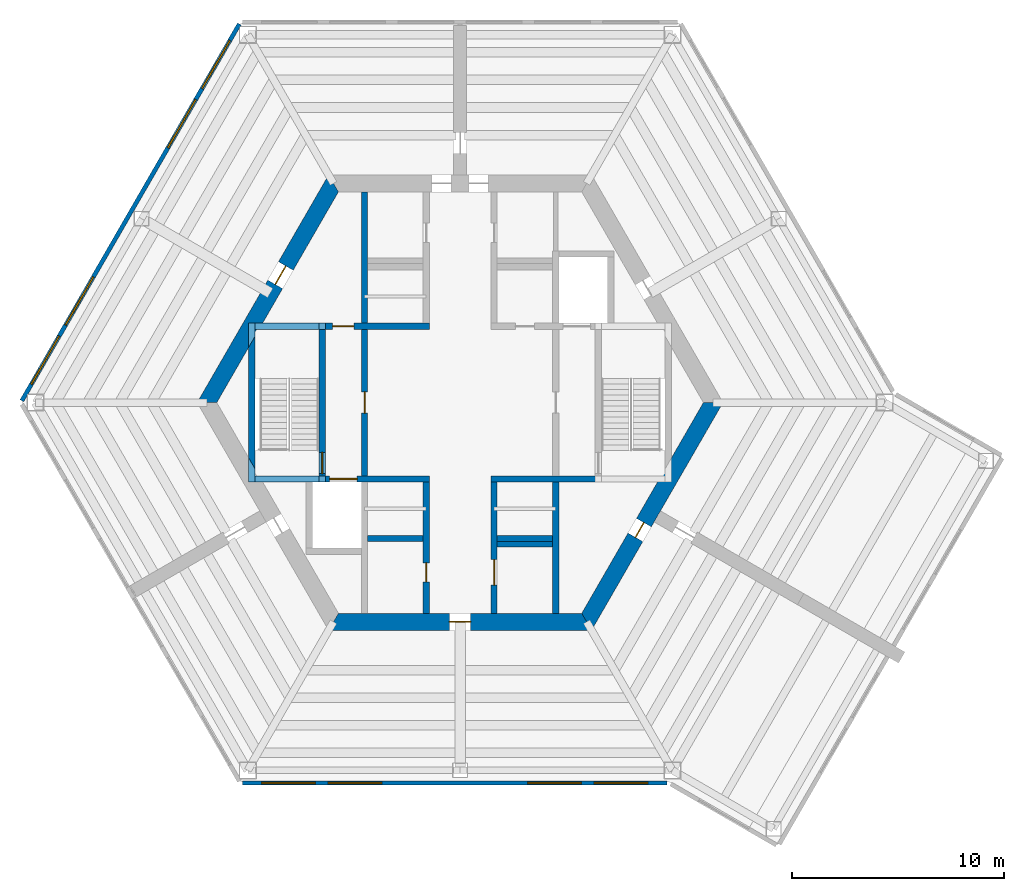
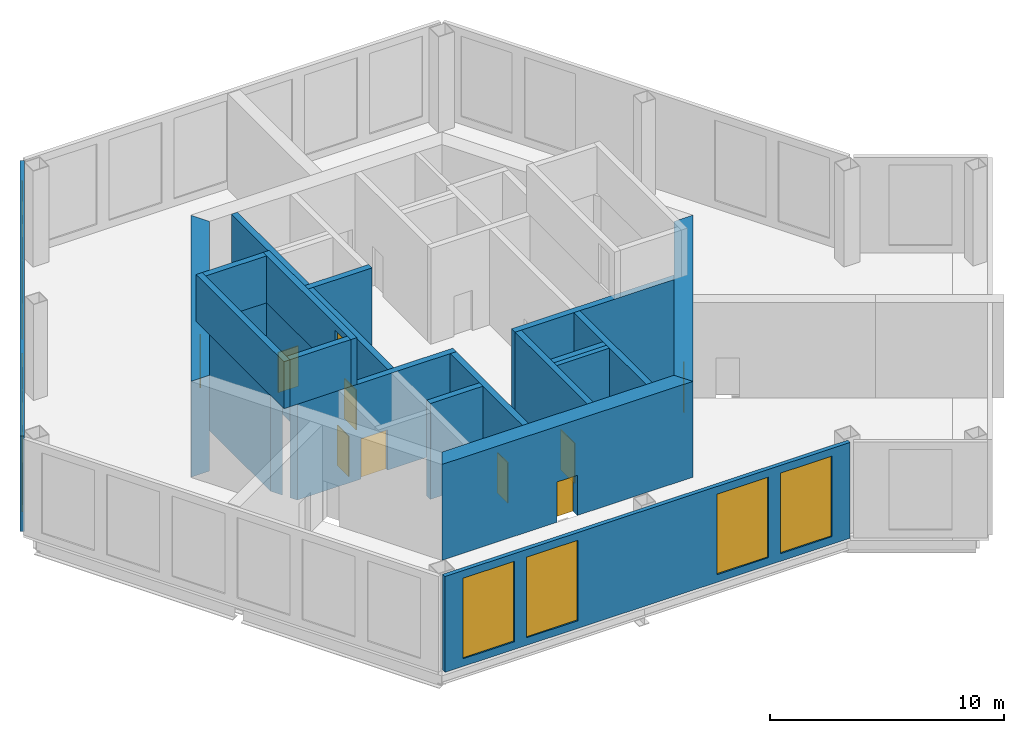
# One storey, part 4 of 8: 22 walls, 10 doors, 8 windows, 18 openings.
"""IFC4 building model written with IfcOpenShell, lengths in metres."""

from ifc_helpers import new_model, si_unit, direction, frame, frame_2d, origin, place, context, subcontext, project, spatial, polyline, rectangle, outline, extrude, material, layer, layer_set, type_object, element, fill, save


model = new_model("IFC4")

# Units and contexts
model_context = context("Model", 3, precision=1e-05, world=origin(), true_north=direction((0.0, 1.0)))
body_context = subcontext(model_context, "Body", "Model", "MODEL_VIEW")
ifc_project = project(units=[si_unit("LENGTHUNIT", "METRE"), si_unit("AREAUNIT", "SQUARE_METRE"), si_unit("VOLUMEUNIT", "CUBIC_METRE"), si_unit("PLANEANGLEUNIT", "RADIAN"), si_unit("MASSUNIT", "GRAM", prefix="KILO")], contexts=[model_context])

# Site, building, storey
site_placement = place(None, origin())
site = spatial("IfcSite", under=ifc_project, at=site_placement, CompositionType="ELEMENT")
building_placement = place(site_placement, origin())
building = spatial("IfcBuilding", under=site, at=building_placement, Name="Kasaneha Research Tower", CompositionType="ELEMENT")
storey_placement = place(building_placement, frame((0.0, 0.0, 302.5)))
storey = spatial("IfcBuildingStorey", under=building, at=storey_placement, Name="L76", CompositionType="ELEMENT", Elevation=302.5)

# Wall, opening, door
ifc_material_1 = material(Name="Concrete Fc60", Category="concrete")
ifc_layer_1 = layer(ifc_material_1, 0.300048828125)
ifc_layer_set_1 = layer_set([ifc_layer_1], Name="Core internal wall 300 Fc60")
wall_type_1 = type_object("IfcWallType", Name="Core internal wall 300 Fc60", PredefinedType="SHEAR", material=ifc_layer_set_1)
wall_1_placement = place(storey_placement, frame((-9.3818359375, 3.60009765625, 0.0), z_axis=(0.0, 0.0, 1.0), x_axis=(1.0, 0.0, 0.0)))
wall_1 = element("IfcWall", 1, at=wall_1_placement, inside=storey, type_object=wall_type_1, Name="Core wall W1W L76", PredefinedType="SHEAR", context=body_context, shape_type="SweptSolid", body=[
    extrude(outline(polyline([(-0.086669921875, -0.14990234375), (3.3818359375, -0.14990234375), (4.3818359375, -0.14990234375), (7.931884765625, -0.14990234375), (7.931884765625, 0.14990234375), (4.3818359375, 0.14990234375), (3.3818359375, 0.14990234375), (0.086669921875, 0.14990234375), (-0.086669921875, -0.14990234375)])), origin(), (0.0, 0.0, 1.0), 5.0),
])
opening_1_placement = place(wall_1_placement, frame((3.3818359375, 0.0, 0.0)))
opening_1 = element("IfcOpeningElement", 2, at=opening_1_placement, cuts=wall_1, Name="Opening L76-D12", PredefinedType="OPENING", context=body_context, shape_type="SweptSolid", body=[
    extrude(rectangle(XDim=1.0, YDim=2.10009765625, at=frame_2d((0.5, 1.050048828125))), frame((0.0, 0.16015625, 0.0), z_axis=(0.0, -1.0, 0.0), x_axis=(1.0, 0.0, 0.0)), (0.0, 0.0, 1.0), 0.320068359375),
])
ifc_material_2 = material(Name="Steel", Category="steel")
door_type_1 = type_object("IfcDoorType", Name="Specified fire door FD60 1000x2100", OperationType="NOTDEFINED", PredefinedType="DOOR", material=ifc_material_2)
door_1_placement = place(opening_1_placement, origin())
door_1 = element("IfcDoor", 3, at=door_1_placement, inside=storey, type_object=door_type_1, Name="Vestibule to lobby door L76-D12", OperationType="SINGLE_SWING_LEFT", OverallHeight=2.10009765625, OverallWidth=1.0, PredefinedType="DOOR", context=body_context, shape_type="SweptSolid", body=[
    extrude(rectangle(XDim=1.0, YDim=2.10009765625, at=frame_2d((0.5, 1.050048828125))), frame((0.0, 0.02490234375, 0.0), z_axis=(0.0, -1.0, 0.0), x_axis=(1.0, 0.0, 0.0)), (0.0, 0.0, 1.0), 0.050048828125),
])
fill(opening_1, door_1)

wall_2_placement = place(storey_placement, frame((-9.3818359375, -3.60009765625, 0.0), z_axis=(0.0, 0.0, 1.0), x_axis=(1.0, 0.0, 0.0)))
wall_2 = element("IfcWall", 4, at=wall_2_placement, inside=storey, type_object=wall_type_1, Name="Core wall W2W L76", PredefinedType="SHEAR", context=body_context, shape_type="SweptSolid", body=[
    extrude(outline(polyline([(0.086669921875, -0.14990234375), (3.23193359375, -0.14990234375), (4.531982421875, -0.14990234375), (7.931884765625, -0.14990234375), (7.931884765625, 0.14990234375), (4.531982421875, 0.14990234375), (3.23193359375, 0.14990234375), (-0.086669921875, 0.14990234375), (0.086669921875, -0.14990234375)])), origin(), (0.0, 0.0, 1.0), 5.0),
])
opening_2_placement = place(wall_2_placement, frame((3.23193359375, 0.0, 0.0)))
opening_2 = element("IfcOpeningElement", 5, at=opening_2_placement, cuts=wall_2, Name="Opening LD-FL2-L76", PredefinedType="OPENING", context=body_context, shape_type="SweptSolid", body=[
    extrude(rectangle(XDim=1.300048828125, YDim=2.10009765625, at=frame_2d((0.64990234375, 1.050048828125))), frame((0.0, 0.16015625, 0.0), z_axis=(0.0, -1.0, 0.0), x_axis=(1.0, 0.0, 0.0)), (0.0, 0.0, 1.0), 0.320068359375),
])
ifc_material_3 = material(Name="Steel", Category="steel")
door_type_2 = type_object("IfcDoorType", Name="Lift landing door 1300x2100", OperationType="DOUBLE_DOOR_SLIDING", PredefinedType="DOOR", material=ifc_material_3)
door_2_placement = place(opening_2_placement, origin())
door_2 = element("IfcDoor", 6, at=door_2_placement, inside=storey, type_object=door_type_2, Name="Landing door FL2 LD-FL2-L76", OperationType="DOUBLE_DOOR_SLIDING", OverallHeight=2.10009765625, OverallWidth=1.300048828125, PredefinedType="DOOR", context=body_context, shape_type="SweptSolid", body=[
    extrude(rectangle(XDim=1.300048828125, YDim=2.10009765625, at=frame_2d((0.64990234375, 1.050048828125))), frame((0.0, 0.02490234375, 0.0), z_axis=(0.0, -1.0, 0.0), x_axis=(1.0, 0.0, 0.0)), (0.0, 0.0, 1.0), 0.050048828125),
])
fill(opening_2, door_2)

# Wall
wall_3_placement = place(storey_placement, frame((1.449951171875, -3.60009765625, 0.0), z_axis=(0.0, 0.0, 1.0), x_axis=(1.0, 0.0, 0.0)))
element("IfcWall", 7, at=wall_3_placement, inside=storey, type_object=wall_type_1, Name="Core wall W2E L76", PredefinedType="SHEAR", context=body_context, shape_type="SweptSolid", body=[
    extrude(outline(polyline([(0.0, -0.14990234375), (7.84521484375, -0.14990234375), (8.0185546875, 0.14990234375), (0.0, 0.14990234375), (0.0, -0.14990234375)])), origin(), (0.0, 0.0, 1.0), 5.0),
])

# Wall, opening, door
wall_4_placement = place(storey_placement, frame((-1.60009765625, -3.75, 0.0), z_axis=(0.0, 0.0, 1.0), x_axis=(0.0, -1.0, 0.0)))
wall_4 = element("IfcWall", 8, at=wall_4_placement, inside=storey, type_object=wall_type_1, Name="Core wall CSW L76", PredefinedType="SHEAR", context=body_context, shape_type="SweptSolid", body=[
    extrude(rectangle(XDim=6.175048828125, YDim=0.300048828125, at=frame_2d((3.08740234375, 0.0))), origin(), (0.0, 0.0, 1.0), 5.0),
])
opening_3_placement = place(wall_4_placement, frame((3.800048828125, 0.0, 0.0)))
opening_3 = element("IfcOpeningElement", 9, at=opening_3_placement, cuts=wall_4, Name="Opening L76-D16", PredefinedType="OPENING", context=body_context, shape_type="SweptSolid", body=[
    extrude(rectangle(XDim=0.89990234375, YDim=2.10009765625, at=frame_2d((0.449951171875, 1.050048828125))), frame((0.0, 0.16015625, 0.0), z_axis=(0.0, -1.0, 0.0), x_axis=(1.0, 0.0, 0.0)), (0.0, 0.0, 1.0), 0.320068359375),
])
ifc_material_4 = material(Name="Steel", Category="steel")
door_type_3 = type_object("IfcDoorType", Name="Riser access door FD60 900x2100", OperationType="NOTDEFINED", PredefinedType="DOOR", material=ifc_material_4)
door_3_placement = place(opening_3_placement, origin())
door_3 = element("IfcDoor", 10, at=door_3_placement, inside=storey, type_object=door_type_3, Name="Electrical riser door L76-D16", OperationType="SINGLE_SWING_LEFT", OverallHeight=2.10009765625, OverallWidth=0.89990234375, PredefinedType="DOOR", context=body_context, shape_type="SweptSolid", body=[
    extrude(rectangle(XDim=0.89990234375, YDim=2.10009765625, at=frame_2d((0.449951171875, 1.050048828125))), frame((0.0, 0.02490234375, 0.0), z_axis=(0.0, -1.0, 0.0), x_axis=(1.0, 0.0, 0.0)), (0.0, 0.0, 1.0), 0.050048828125),
])
fill(opening_3, door_3)

wall_5_placement = place(storey_placement, frame((1.60009765625, -3.75, 0.0), z_axis=(0.0, 0.0, 1.0), x_axis=(0.0, -1.0, 0.0)))
wall_5 = element("IfcWall", 11, at=wall_5_placement, inside=storey, type_object=wall_type_1, Name="Core wall CSE L76", PredefinedType="SHEAR", context=body_context, shape_type="SweptSolid", body=[
    extrude(rectangle(XDim=6.175048828125, YDim=0.300048828125, at=frame_2d((3.08740234375, 0.0))), origin(), (0.0, 0.0, 1.0), 5.0),
])
opening_4_placement = place(wall_5_placement, frame((3.64990234375, 0.0, 0.0)))
opening_4 = element("IfcOpeningElement", 12, at=opening_4_placement, cuts=wall_5, Name="Opening L76-D15", PredefinedType="OPENING", context=body_context, shape_type="SweptSolid", body=[
    extrude(rectangle(XDim=1.199951171875, YDim=2.10009765625, at=frame_2d((0.60009765625, 1.050048828125))), frame((0.0, 0.16015625, 0.0), z_axis=(0.0, -1.0, 0.0), x_axis=(1.0, 0.0, 0.0)), (0.0, 0.0, 1.0), 0.320068359375),
])
ifc_material_5 = material(Name="Steel", Category="steel")
door_type_4 = type_object("IfcDoorType", Name="Accessible toilet sliding door FD20 1200x2100", OperationType="SLIDING_TO_LEFT", PredefinedType="DOOR", material=ifc_material_5)
door_4_placement = place(opening_4_placement, origin())
door_4 = element("IfcDoor", 13, at=door_4_placement, inside=storey, type_object=door_type_4, Name="Accessible WC door L76-D15", OperationType="SLIDING_TO_LEFT", OverallHeight=2.10009765625, OverallWidth=1.199951171875, PredefinedType="DOOR", context=body_context, shape_type="SweptSolid", body=[
    extrude(rectangle(XDim=1.199951171875, YDim=2.10009765625, at=frame_2d((0.60009765625, 1.050048828125))), frame((0.0, 0.02490234375, 0.0), z_axis=(0.0, -1.0, 0.0), x_axis=(1.0, 0.0, 0.0)), (0.0, 0.0, 1.0), 0.050048828125),
])
fill(opening_4, door_4)

wall_6_placement = place(storey_placement, frame((-4.5, -3.449951171875, 0.0), z_axis=(0.0, 0.0, 1.0), x_axis=(0.0, 1.0, 0.0)))
wall_6 = element("IfcWall", 14, at=wall_6_placement, inside=storey, type_object=wall_type_1, Name="Core wall LBW L76", PredefinedType="SHEAR", context=body_context, shape_type="SweptSolid", body=[
    extrude(rectangle(XDim=6.89990234375, YDim=0.300048828125, at=frame_2d((3.449951171875, 0.0))), origin(), (0.0, 0.0, 1.0), 5.0),
])
opening_5_placement = place(wall_6_placement, frame((2.949951171875, 0.0, 0.0)))
opening_5 = element("IfcOpeningElement", 15, at=opening_5_placement, cuts=wall_6, Name="Opening L76-D09", PredefinedType="OPENING", context=body_context, shape_type="SweptSolid", body=[
    extrude(rectangle(XDim=1.0, YDim=2.10009765625, at=frame_2d((0.5, 1.050048828125))), frame((0.0, 0.16015625, 0.0), z_axis=(0.0, -1.0, 0.0), x_axis=(1.0, 0.0, 0.0)), (0.0, 0.0, 1.0), 0.320068359375),
])
door_5_placement = place(opening_5_placement, origin())
door_5 = element("IfcDoor", 16, at=door_5_placement, inside=storey, type_object=door_type_1, Name="Lift lobby door west L76-D09", OperationType="SINGLE_SWING_LEFT", OverallHeight=2.10009765625, OverallWidth=1.0, PredefinedType="DOOR", context=body_context, shape_type="SweptSolid", body=[
    extrude(rectangle(XDim=1.0, YDim=2.10009765625, at=frame_2d((0.5, 1.050048828125))), frame((0.0, 0.02490234375, 0.0), z_axis=(0.0, -1.0, 0.0), x_axis=(1.0, 0.0, 0.0)), (0.0, 0.0, 1.0), 0.050048828125),
])
fill(opening_5, door_5)

wall_7_placement = place(storey_placement, frame((-6.5, -3.449951171875, 0.0), z_axis=(0.0, 0.0, 1.0), x_axis=(0.0, 1.0, 0.0)))
wall_7 = element("IfcWall", 17, at=wall_7_placement, inside=storey, type_object=wall_type_1, Name="Core wall ANW L76", PredefinedType="SHEAR", context=body_context, shape_type="SweptSolid", body=[
    extrude(rectangle(XDim=6.89990234375, YDim=0.300048828125, at=frame_2d((3.449951171875, 0.0))), origin(), (0.0, 0.0, 1.0), 5.0),
])
opening_6_placement = place(wall_7_placement, frame((0.10009765625, 0.0, 0.0)))
opening_6 = element("IfcOpeningElement", 18, at=opening_6_placement, cuts=wall_7, Name="Opening L76-D11", PredefinedType="OPENING", context=body_context, shape_type="SweptSolid", body=[
    extrude(rectangle(XDim=1.0, YDim=2.10009765625, at=frame_2d((0.5, 1.050048828125))), frame((0.0, 0.16015625, 0.0), z_axis=(0.0, -1.0, 0.0), x_axis=(1.0, 0.0, 0.0)), (0.0, 0.0, 1.0), 0.320068359375),
])
door_6_placement = place(opening_6_placement, origin())
door_6 = element("IfcDoor", 19, at=door_6_placement, inside=storey, type_object=door_type_1, Name="Stair 2 door L76-D11", OperationType="SINGLE_SWING_LEFT", OverallHeight=2.10009765625, OverallWidth=1.0, PredefinedType="DOOR", context=body_context, shape_type="SweptSolid", body=[
    extrude(rectangle(XDim=1.0, YDim=2.10009765625, at=frame_2d((0.5, 1.050048828125))), frame((0.0, 0.02490234375, 0.0), z_axis=(0.0, -1.0, 0.0), x_axis=(1.0, 0.0, 0.0)), (0.0, 0.0, 1.0), 0.050048828125),
])
fill(opening_6, door_6)

# Walls
for number, where, z_axis, x_axis, name in (
    (20, (-4.5, 3.75, 0.0), (0.0, 0.0, 1.0), (0.0, 1.0, 0.0), "Core wall VNW L76"),
    (21, (4.5, -3.75, 0.0), (0.0, 0.0, 1.0), (0.0, -1.0, 0.0), "Core wall SSE L76"),
):
    element("IfcWall", number, at=place(storey_placement, frame(where, z_axis=z_axis, x_axis=x_axis)), inside=storey, type_object=wall_type_1, Name=name, PredefinedType="SHEAR", context=body_context, shape_type="SweptSolid", body=[
        extrude(rectangle(XDim=6.175048828125, YDim=0.300048828125, at=frame_2d((3.08740234375, 0.0))), origin(), (0.0, 0.0, 1.0), 5.0),
    ])
for number, where, z_axis, x_axis, name in (
    (22, (-4.35009765625, -6.39990234375, 0.0), (0.0, 0.0, 1.0), (1.0, 0.0, 0.0), "Core wall S1S L76"),
    (23, (1.75, -6.39990234375, 0.0), (0.0, 0.0, 1.0), (1.0, 0.0, 0.0), "Core wall S3S L76"),
):
    element("IfcWall", number, at=place(storey_placement, frame(where, z_axis=z_axis, x_axis=x_axis)), inside=storey, type_object=wall_type_1, Name=name, PredefinedType="SHEAR", context=body_context, shape_type="SweptSolid", body=[
        extrude(rectangle(XDim=2.60009765625, YDim=0.300048828125, at=frame_2d((1.300048828125, 0.0))), origin(), (0.0, 0.0, 1.0), 5.0),
    ])
wall_8_placement = place(storey_placement, frame((-9.807861328125, -2.8623046875, 0.0), z_axis=(0.0, 0.0, 1.0), x_axis=(0.0, 1.0, 0.0)))
element("IfcWall", 24, at=wall_8_placement, inside=storey, type_object=wall_type_1, Name="Core wall STW L76", PredefinedType="SHEAR", context=body_context, shape_type="SweptSolid", body=[
    extrude(outline(polyline([(-0.259765625, -0.14990234375), (5.984375, -0.14990234375), (5.46484375, 0.14990234375), (0.259765625, 0.14990234375), (-0.259765625, -0.14990234375)])), origin(), (0.0, 0.0, 1.0), 5.0),
])

# Wall, opening, door
ifc_material_6 = material(Name="Concrete Fc60", Category="concrete")
ifc_layer_2 = layer(ifc_material_6, 0.800048828125)
ifc_layer_set_2 = layer_set([ifc_layer_2], Name="Core wall 800 Fc60")
wall_type_2 = type_object("IfcWallType", Name="Core wall 800 Fc60", PredefinedType="SHEAR", material=ifc_layer_set_2)
wall_9_placement = place(storey_placement, frame((-5.961181640625, 10.324951171875, 0.0), z_axis=(0.0, 0.0, 1.0), x_axis=(-0.500004296715, -0.866022923061, 0.0)))
wall_9 = element("IfcWall", 25, at=wall_9_placement, inside=storey, type_object=wall_type_2, Name="Core wall 150 L76", PredefinedType="SHEAR", context=body_context, shape_type="SweptSolid", body=[
    extrude(outline(polyline([(-0.23095703125, -0.39990234375), (4.494140625, -0.39990234375), (5.494140625, -0.39990234375), (12.1533203125, -0.39990234375), (11.69140625, 0.39990234375), (5.494140625, 0.39990234375), (4.494140625, 0.39990234375), (0.23095703125, 0.39990234375), (-0.23095703125, -0.39990234375)])), origin(), (0.0, 0.0, 1.0), 5.0),
])
opening_7_placement = place(wall_9_placement, frame((4.494140625, 0.0, 0.0)))
opening_7 = element("IfcOpeningElement", 26, at=opening_7_placement, cuts=wall_9, Name="Opening L76-D07", PredefinedType="OPENING", context=body_context, shape_type="SweptSolid", body=[
    extrude(rectangle(XDim=1.0, YDim=2.10009765625, at=frame_2d((0.5, 1.050048828125))), frame((0.0, 0.41015625, 0.0), z_axis=(0.0, -1.0, 0.0), x_axis=(1.0, 0.0, 0.0)), (0.0, 0.0, 1.0), 0.820068359375),
])
ifc_material_7 = material(Name="Steel", Category="steel")
door_type_5 = type_object("IfcDoorType", Name="Fire door FD20 1000x2100", OperationType="NOTDEFINED", PredefinedType="DOOR", material=ifc_material_7)
door_7_placement = place(opening_7_placement, origin())
door_7 = element("IfcDoor", 27, at=door_7_placement, inside=storey, type_object=door_type_5, Name="Vestibule door L76-D07", OperationType="SINGLE_SWING_RIGHT", OverallHeight=2.10009765625, OverallWidth=1.0, PredefinedType="DOOR", context=body_context, shape_type="SweptSolid", body=[
    extrude(rectangle(XDim=1.0, YDim=2.10009765625, at=frame_2d((0.5, 1.050048828125))), frame((0.0, 0.02490234375, 0.0), z_axis=(0.0, -1.0, 0.0), x_axis=(1.0, 0.0, 0.0)), (0.0, 0.0, 1.0), 0.050048828125),
])
fill(opening_7, door_7)

wall_10_placement = place(storey_placement, frame((-5.961181640625, -10.324951171875, 0.0), z_axis=(0.0, 0.0, 1.0), x_axis=(1.0, 0.0, 0.0)))
wall_10 = element("IfcWall", 28, at=wall_10_placement, inside=storey, type_object=wall_type_2, Name="Core wall 270 L76", PredefinedType="SHEAR", context=body_context, shape_type="SweptSolid", body=[
    extrude(outline(polyline([(-0.23095703125, -0.39990234375), (5.461181640625, -0.39990234375), (6.461181640625, -0.39990234375), (12.1533203125, -0.39990234375), (11.69140625, 0.39990234375), (6.461181640625, 0.39990234375), (5.461181640625, 0.39990234375), (0.23095703125, 0.39990234375), (-0.23095703125, -0.39990234375)])), origin(), (0.0, 0.0, 1.0), 5.0),
])
opening_8_placement = place(wall_10_placement, frame((5.461181640625, 0.0, 0.0)))
opening_8 = element("IfcOpeningElement", 29, at=opening_8_placement, cuts=wall_10, Name="Opening L76-D03", PredefinedType="OPENING", context=body_context, shape_type="SweptSolid", body=[
    extrude(rectangle(XDim=1.0, YDim=2.10009765625, at=frame_2d((0.5, 1.050048828125))), frame((0.0, 0.41015625, 0.0), z_axis=(0.0, -1.0, 0.0), x_axis=(1.0, 0.0, 0.0)), (0.0, 0.0, 1.0), 0.820068359375),
])
door_8_placement = place(opening_8_placement, origin())
door_8 = element("IfcDoor", 30, at=door_8_placement, inside=storey, type_object=door_type_5, Name="Core door south L76-D03", OperationType="SINGLE_SWING_LEFT", OverallHeight=2.10009765625, OverallWidth=1.0, PredefinedType="DOOR", context=body_context, shape_type="SweptSolid", body=[
    extrude(rectangle(XDim=1.0, YDim=2.10009765625, at=frame_2d((0.5, 1.050048828125))), frame((0.0, 0.02490234375, 0.0), z_axis=(0.0, -1.0, 0.0), x_axis=(1.0, 0.0, 0.0)), (0.0, 0.0, 1.0), 0.050048828125),
])
fill(opening_8, door_8)

wall_11_placement = place(storey_placement, frame((5.961181640625, -10.324951171875, 0.0), z_axis=(0.0, 0.0, 1.0), x_axis=(0.500004296715, 0.866022923061, 0.0)))
wall_11 = element("IfcWall", 31, at=wall_11_placement, inside=storey, type_object=wall_type_2, Name="Core wall 330 L76", PredefinedType="SHEAR", context=body_context, shape_type="SweptSolid", body=[
    extrude(outline(polyline([(-0.23095703125, -0.39990234375), (4.593994140625, -0.39990234375), (5.39404296875, -0.39990234375), (12.1533203125, -0.39990234375), (11.69140625, 0.39990234375), (5.39404296875, 0.39990234375), (4.593994140625, 0.39990234375), (0.23095703125, 0.39990234375), (-0.23095703125, -0.39990234375)])), origin(), (0.0, 0.0, 1.0), 5.0),
])
opening_9_placement = place(wall_11_placement, frame((4.593994140625, 0.0, 0.0)))
opening_9 = element("IfcOpeningElement", 32, at=opening_9_placement, cuts=wall_11, Name="Opening L76-D05", PredefinedType="OPENING", context=body_context, shape_type="SweptSolid", body=[
    extrude(rectangle(XDim=0.800048828125, YDim=2.10009765625, at=frame_2d((0.39990234375, 1.050048828125))), frame((0.0, 0.41015625, 0.0), z_axis=(0.0, -1.0, 0.0), x_axis=(1.0, 0.0, 0.0)), (0.0, 0.0, 1.0), 0.820068359375),
])
ifc_material_8 = material(Name="Steel", Category="steel")
door_type_6 = type_object("IfcDoorType", Name="Riser access door FD60 800x2100", OperationType="NOTDEFINED", PredefinedType="DOOR", material=ifc_material_8)
door_9_placement = place(opening_9_placement, origin())
door_9 = element("IfcDoor", 33, at=door_9_placement, inside=storey, type_object=door_type_6, Name="Pipe riser door L76-D05", OperationType="SINGLE_SWING_RIGHT", OverallHeight=2.10009765625, OverallWidth=0.800048828125, PredefinedType="DOOR", context=body_context, shape_type="SweptSolid", body=[
    extrude(rectangle(XDim=0.800048828125, YDim=2.10009765625, at=frame_2d((0.39990234375, 1.050048828125))), frame((0.0, 0.02490234375, 0.0), z_axis=(0.0, -1.0, 0.0), x_axis=(1.0, 0.0, 0.0)), (0.0, 0.0, 1.0), 0.050048828125),
])
fill(opening_9, door_9)

# Wall, openings, windows
ifc_material_9 = material(Name="Terracotta cladding on steel frame", Category="masonry")
ifc_layer_3 = layer(ifc_material_9, 0.199951171875)
ifc_layer_set_3 = layer_set([ifc_layer_3], Name="Louvred plant wall 200")
wall_type_3 = type_object("IfcWallType", Name="Louvred plant wall 200", PredefinedType="ELEMENTEDWALL", material=ifc_layer_set_3)
wall_12_placement = place(storey_placement, frame((-10.396484375, 17.833984375, 0.0), z_axis=(0.0, 0.0, 1.0), x_axis=(-0.499997112899, -0.866027070647, 0.0)))
wall_12 = element("IfcWall", 34, at=wall_12_placement, inside=storey, type_object=wall_type_3, Name="Louvred plant wall L76", PredefinedType="ELEMENTEDWALL", context=body_context, shape_type="SweptSolid", body=[
    extrude(rectangle(XDim=20.49267578125, YDim=0.199951171875, at=frame_2d((10.246337890625, 0.0))), origin(), (0.0, 0.0, 1.0), 5.0),
])
opening_10_placement = place(wall_12_placement, frame((0.89990234375, 0.0, 0.39990234375)))
opening_10 = element("IfcOpeningElement", 35, at=opening_10_placement, cuts=wall_12, Name="Opening LV7", PredefinedType="OPENING", context=body_context, shape_type="SweptSolid", body=[
    extrude(rectangle(XDim=2.615478515625, YDim=4.199951171875, at=frame_2d((1.3076171875, 2.10009765625))), frame((0.0, 0.10986328125, 0.0), z_axis=(0.0, -1.0, 0.0), x_axis=(1.0, 0.0, 0.0)), (0.0, 0.0, 1.0), 0.219970703125),
])
opening_11_placement = place(wall_12_placement, frame((4.115478515625, 0.0, 0.39990234375)))
opening_11 = element("IfcOpeningElement", 36, at=opening_11_placement, cuts=wall_12, Name="Opening LV7", PredefinedType="OPENING", context=body_context, shape_type="SweptSolid", body=[
    extrude(rectangle(XDim=2.615478515625, YDim=4.199951171875, at=frame_2d((1.3076171875, 2.10009765625))), frame((0.0, 0.10986328125, 0.0), z_axis=(0.0, -1.0, 0.0), x_axis=(1.0, 0.0, 0.0)), (0.0, 0.0, 1.0), 0.219970703125),
])
opening_12_placement = place(wall_12_placement, frame((13.761962890625, 0.0, 0.39990234375)))
opening_12 = element("IfcOpeningElement", 37, at=opening_12_placement, cuts=wall_12, Name="Opening LV7", PredefinedType="OPENING", context=body_context, shape_type="SweptSolid", body=[
    extrude(rectangle(XDim=2.615478515625, YDim=4.199951171875, at=frame_2d((1.3076171875, 2.10009765625))), frame((0.0, 0.10986328125, 0.0), z_axis=(0.0, -1.0, 0.0), x_axis=(1.0, 0.0, 0.0)), (0.0, 0.0, 1.0), 0.219970703125),
])
opening_13_placement = place(wall_12_placement, frame((16.977294921875, 0.0, 0.39990234375)))
opening_13 = element("IfcOpeningElement", 38, at=opening_13_placement, cuts=wall_12, Name="Opening LV7", PredefinedType="OPENING", context=body_context, shape_type="SweptSolid", body=[
    extrude(rectangle(XDim=2.615478515625, YDim=4.199951171875, at=frame_2d((1.3076171875, 2.10009765625))), frame((0.0, 0.10986328125, 0.0), z_axis=(0.0, -1.0, 0.0), x_axis=(1.0, 0.0, 0.0)), (0.0, 0.0, 1.0), 0.219970703125),
])
ifc_material_10 = material(Name="Aluminium 6063-T6", Category="aluminium")
window_type_1 = type_object("IfcWindowType", Name="Louvre 2615x4200", PartitioningType="SINGLE_PANEL", PredefinedType="USERDEFINED", material=ifc_material_10)
window_1_placement = place(opening_10_placement, origin())
window_1 = element("IfcWindow", 39, at=window_1_placement, inside=storey, type_object=window_type_1, Name="Plant louvre L76 1", ObjectType="LOUVRE", OverallHeight=4.199951171875, OverallWidth=2.615478515625, PartitioningType="SINGLE_PANEL", PredefinedType="USERDEFINED", context=body_context, shape_type="SweptSolid", body=[
    extrude(rectangle(XDim=2.615478515625, YDim=4.199951171875, at=frame_2d((1.3076171875, 2.10009765625))), frame((0.0, 0.030029296875, 0.0), z_axis=(0.0, -1.0, 0.0), x_axis=(1.0, 0.0, 0.0)), (0.0, 0.0, 1.0), 0.06005859375),
])
fill(opening_10, window_1)
window_2_placement = place(opening_11_placement, origin())
window_2 = element("IfcWindow", 40, at=window_2_placement, inside=storey, type_object=window_type_1, Name="Plant louvre L76 2", ObjectType="LOUVRE", OverallHeight=4.199951171875, OverallWidth=2.615478515625, PartitioningType="SINGLE_PANEL", PredefinedType="USERDEFINED", context=body_context, shape_type="SweptSolid", body=[
    extrude(rectangle(XDim=2.615478515625, YDim=4.199951171875, at=frame_2d((1.3076171875, 2.10009765625))), frame((0.0, 0.030029296875, 0.0), z_axis=(0.0, -1.0, 0.0), x_axis=(1.0, 0.0, 0.0)), (0.0, 0.0, 1.0), 0.06005859375),
])
fill(opening_11, window_2)
window_3_placement = place(opening_12_placement, origin())
window_3 = element("IfcWindow", 41, at=window_3_placement, inside=storey, type_object=window_type_1, Name="Plant louvre L76 5", ObjectType="LOUVRE", OverallHeight=4.199951171875, OverallWidth=2.615478515625, PartitioningType="SINGLE_PANEL", PredefinedType="USERDEFINED", context=body_context, shape_type="SweptSolid", body=[
    extrude(rectangle(XDim=2.615478515625, YDim=4.199951171875, at=frame_2d((1.3076171875, 2.10009765625))), frame((0.0, 0.030029296875, 0.0), z_axis=(0.0, -1.0, 0.0), x_axis=(1.0, 0.0, 0.0)), (0.0, 0.0, 1.0), 0.06005859375),
])
fill(opening_12, window_3)
window_4_placement = place(opening_13_placement, origin())
window_4 = element("IfcWindow", 42, at=window_4_placement, inside=storey, type_object=window_type_1, Name="Plant louvre L76 6", ObjectType="LOUVRE", OverallHeight=4.199951171875, OverallWidth=2.615478515625, PartitioningType="SINGLE_PANEL", PredefinedType="USERDEFINED", context=body_context, shape_type="SweptSolid", body=[
    extrude(rectangle(XDim=2.615478515625, YDim=4.199951171875, at=frame_2d((1.3076171875, 2.10009765625))), frame((0.0, 0.030029296875, 0.0), z_axis=(0.0, -1.0, 0.0), x_axis=(1.0, 0.0, 0.0)), (0.0, 0.0, 1.0), 0.06005859375),
])
fill(opening_13, window_4)

wall_13_placement = place(storey_placement, frame((-10.246337890625, -17.92041015625, 0.0), z_axis=(0.0, 0.0, 1.0), x_axis=(1.0, 0.0, 0.0)))
wall_13 = element("IfcWall", 43, at=wall_13_placement, inside=storey, type_object=wall_type_3, Name="Louvred plant wall L76", PredefinedType="ELEMENTEDWALL", context=body_context, shape_type="SweptSolid", body=[
    extrude(rectangle(XDim=19.985595703125, YDim=0.199951171875, at=frame_2d((9.99267578125, 0.0))), origin(), (0.0, 0.0, 1.0), 5.0),
])
opening_14_placement = place(wall_13_placement, frame((0.89990234375, 0.0, 0.39990234375)))
opening_14 = element("IfcOpeningElement", 44, at=opening_14_placement, cuts=wall_13, Name="Opening LV6", PredefinedType="OPENING", context=body_context, shape_type="SweptSolid", body=[
    extrude(rectangle(XDim=2.531005859375, YDim=4.199951171875, at=frame_2d((1.265625, 2.10009765625))), frame((0.0, 0.10986328125, 0.0), z_axis=(0.0, -1.0, 0.0), x_axis=(1.0, 0.0, 0.0)), (0.0, 0.0, 1.0), 0.219970703125),
])
opening_15_placement = place(wall_13_placement, frame((4.031005859375, 0.0, 0.39990234375)))
opening_15 = element("IfcOpeningElement", 45, at=opening_15_placement, cuts=wall_13, Name="Opening LV6", PredefinedType="OPENING", context=body_context, shape_type="SweptSolid", body=[
    extrude(rectangle(XDim=2.531005859375, YDim=4.199951171875, at=frame_2d((1.265625, 2.10009765625))), frame((0.0, 0.10986328125, 0.0), z_axis=(0.0, -1.0, 0.0), x_axis=(1.0, 0.0, 0.0)), (0.0, 0.0, 1.0), 0.219970703125),
])
opening_16_placement = place(wall_13_placement, frame((13.423828125, 0.0, 0.39990234375)))
opening_16 = element("IfcOpeningElement", 46, at=opening_16_placement, cuts=wall_13, Name="Opening LV6", PredefinedType="OPENING", context=body_context, shape_type="SweptSolid", body=[
    extrude(rectangle(XDim=2.531005859375, YDim=4.199951171875, at=frame_2d((1.265625, 2.10009765625))), frame((0.0, 0.10986328125, 0.0), z_axis=(0.0, -1.0, 0.0), x_axis=(1.0, 0.0, 0.0)), (0.0, 0.0, 1.0), 0.219970703125),
])
opening_17_placement = place(wall_13_placement, frame((16.5546875, 0.0, 0.39990234375)))
opening_17 = element("IfcOpeningElement", 47, at=opening_17_placement, cuts=wall_13, Name="Opening LV6", PredefinedType="OPENING", context=body_context, shape_type="SweptSolid", body=[
    extrude(rectangle(XDim=2.531005859375, YDim=4.199951171875, at=frame_2d((1.265625, 2.10009765625))), frame((0.0, 0.10986328125, 0.0), z_axis=(0.0, -1.0, 0.0), x_axis=(1.0, 0.0, 0.0)), (0.0, 0.0, 1.0), 0.219970703125),
])
ifc_material_11 = material(Name="Aluminium 6063-T6", Category="aluminium")
window_type_2 = type_object("IfcWindowType", Name="Louvre 2531x4200", PartitioningType="SINGLE_PANEL", PredefinedType="USERDEFINED", material=ifc_material_11)
window_5_placement = place(opening_14_placement, origin())
window_5 = element("IfcWindow", 48, at=window_5_placement, inside=storey, type_object=window_type_2, Name="Plant louvre L76 1", ObjectType="LOUVRE", OverallHeight=4.199951171875, OverallWidth=2.531005859375, PartitioningType="SINGLE_PANEL", PredefinedType="USERDEFINED", context=body_context, shape_type="SweptSolid", body=[
    extrude(rectangle(XDim=2.531005859375, YDim=4.199951171875, at=frame_2d((1.265625, 2.10009765625))), frame((0.0, 0.030029296875, 0.0), z_axis=(0.0, -1.0, 0.0), x_axis=(1.0, 0.0, 0.0)), (0.0, 0.0, 1.0), 0.06005859375),
])
fill(opening_14, window_5)
window_6_placement = place(opening_15_placement, origin())
window_6 = element("IfcWindow", 49, at=window_6_placement, inside=storey, type_object=window_type_2, Name="Plant louvre L76 2", ObjectType="LOUVRE", OverallHeight=4.199951171875, OverallWidth=2.531005859375, PartitioningType="SINGLE_PANEL", PredefinedType="USERDEFINED", context=body_context, shape_type="SweptSolid", body=[
    extrude(rectangle(XDim=2.531005859375, YDim=4.199951171875, at=frame_2d((1.265625, 2.10009765625))), frame((0.0, 0.030029296875, 0.0), z_axis=(0.0, -1.0, 0.0), x_axis=(1.0, 0.0, 0.0)), (0.0, 0.0, 1.0), 0.06005859375),
])
fill(opening_15, window_6)
window_7_placement = place(opening_16_placement, origin())
window_7 = element("IfcWindow", 50, at=window_7_placement, inside=storey, type_object=window_type_2, Name="Plant louvre L76 5", ObjectType="LOUVRE", OverallHeight=4.199951171875, OverallWidth=2.531005859375, PartitioningType="SINGLE_PANEL", PredefinedType="USERDEFINED", context=body_context, shape_type="SweptSolid", body=[
    extrude(rectangle(XDim=2.531005859375, YDim=4.199951171875, at=frame_2d((1.265625, 2.10009765625))), frame((0.0, 0.030029296875, 0.0), z_axis=(0.0, -1.0, 0.0), x_axis=(1.0, 0.0, 0.0)), (0.0, 0.0, 1.0), 0.06005859375),
])
fill(opening_16, window_7)
window_8_placement = place(opening_17_placement, origin())
window_8 = element("IfcWindow", 51, at=window_8_placement, inside=storey, type_object=window_type_2, Name="Plant louvre L76 6", ObjectType="LOUVRE", OverallHeight=4.199951171875, OverallWidth=2.531005859375, PartitioningType="SINGLE_PANEL", PredefinedType="USERDEFINED", context=body_context, shape_type="SweptSolid", body=[
    extrude(rectangle(XDim=2.531005859375, YDim=4.199951171875, at=frame_2d((1.265625, 2.10009765625))), frame((0.0, 0.030029296875, 0.0), z_axis=(0.0, -1.0, 0.0), x_axis=(1.0, 0.0, 0.0)), (0.0, 0.0, 1.0), 0.06005859375),
])
fill(opening_17, window_8)

# Wall, opening, door
ifc_material_12 = material(Name="Concrete Fc60", Category="concrete")
ifc_layer_4 = layer(ifc_material_12, 0.300048828125)
ifc_layer_set_4 = layer_set([ifc_layer_4], Name="Stair head-house wall 300")
wall_type_4 = type_object("IfcWallType", Name="Stair head-house wall 300", PredefinedType="STANDARD", material=ifc_layer_set_4)
wall_14_placement = place(storey_placement, frame((-6.5, -3.75, 5.0), z_axis=(0.0, 0.0, 1.0), x_axis=(0.0, 1.0, 0.0)))
wall_14 = element("IfcWall", 52, at=wall_14_placement, inside=storey, type_object=wall_type_4, Name="Stair 2 head-house wall 1", PredefinedType="STANDARD", context=body_context, shape_type="SweptSolid", body=[
    extrude(rectangle(XDim=7.5, YDim=0.300048828125, at=frame_2d((3.75, 0.0))), origin(), (0.0, 0.0, 1.0), 2.449951171875),
])
opening_18_placement = place(wall_14_placement, frame((0.449951171875, 0.0, 0.0)))
opening_18 = element("IfcOpeningElement", 53, at=opening_18_placement, cuts=wall_14, Name="Opening L76-D22", PredefinedType="OPENING", context=body_context, shape_type="SweptSolid", body=[
    extrude(rectangle(XDim=0.89990234375, YDim=2.10009765625, at=frame_2d((0.449951171875, 1.050048828125))), frame((0.0, 0.16015625, 0.0), z_axis=(0.0, -1.0, 0.0), x_axis=(1.0, 0.0, 0.0)), (0.0, 0.0, 1.0), 0.320068359375),
])
ifc_material_13 = material(Name="Steel", Category="steel")
door_type_7 = type_object("IfcDoorType", Name="Roof access door FD60 900x2100", OperationType="NOTDEFINED", PredefinedType="DOOR", material=ifc_material_13)
door_10_placement = place(opening_18_placement, origin())
door_10 = element("IfcDoor", 54, at=door_10_placement, inside=storey, type_object=door_type_7, Name="Roof access door L76-D22", OperationType="SINGLE_SWING_LEFT", OverallHeight=2.10009765625, OverallWidth=0.89990234375, PredefinedType="DOOR", context=body_context, shape_type="SweptSolid", body=[
    extrude(rectangle(XDim=0.89990234375, YDim=2.10009765625, at=frame_2d((0.449951171875, 1.050048828125))), frame((0.0, 0.02490234375, 0.0), z_axis=(0.0, -1.0, 0.0), x_axis=(1.0, 0.0, 0.0)), (0.0, 0.0, 1.0), 0.050048828125),
])
fill(opening_18, door_10)

# Walls
for number, where, z_axis, x_axis, name in (
    (55, (-6.64990234375, -3.60009765625, 5.0), (0.0, 0.0, 1.0), (-1.0, 0.0, 0.0), "Stair 2 head-house wall 2"),
    (56, (-6.64990234375, 3.60009765625, 5.0), (0.0, 0.0, 1.0), (-1.0, 0.0, 0.0), "Stair 2 head-house wall 3"),
):
    element("IfcWall", number, at=place(storey_placement, frame(where, z_axis=z_axis, x_axis=x_axis)), inside=storey, type_object=wall_type_4, Name=name, PredefinedType="STANDARD", context=body_context, shape_type="SweptSolid", body=[
        extrude(rectangle(XDim=3.008056640625, YDim=0.300048828125, at=frame_2d((1.50390625, 0.0))), origin(), (0.0, 0.0, 1.0), 2.449951171875),
    ])
wall_15_placement = place(storey_placement, frame((-9.807861328125, -3.75, 5.0), z_axis=(0.0, 0.0, 1.0), x_axis=(0.0, 1.0, 0.0)))
element("IfcWall", 57, at=wall_15_placement, inside=storey, type_object=wall_type_4, Name="Stair 2 head-house wall 4", PredefinedType="STANDARD", context=body_context, shape_type="SweptSolid", body=[
    extrude(rectangle(XDim=7.5, YDim=0.300048828125, at=frame_2d((3.75, 0.0))), origin(), (0.0, 0.0, 1.0), 2.449951171875),
])
ifc_material_14 = material(Name="Concrete block lining", Category="concrete")
ifc_layer_5 = layer(ifc_material_14, 0.25)
ifc_layer_set_5 = layer_set([ifc_layer_5], Name="WC plumbing wall 250")
wall_type_5 = type_object("IfcWallType", Name="WC plumbing wall 250", PredefinedType="PLUMBINGWALL", material=ifc_layer_set_5)
wall_16_placement = place(storey_placement, frame((1.75, -6.675048828125, 0.0), z_axis=(0.0, 0.0, 1.0), x_axis=(1.0, 0.0, 0.0)))
element("IfcWall", 58, at=wall_16_placement, inside=storey, type_object=wall_type_5, Name="WC plumbing wall A L76", PredefinedType="PLUMBINGWALL", context=body_context, shape_type="SweptSolid", body=[
    extrude(rectangle(XDim=2.60009765625, YDim=0.25, at=frame_2d((1.300048828125, 0.0))), origin(), (0.0, 0.0, 1.0), 5.0),
])

save(model, "model.ifc")
